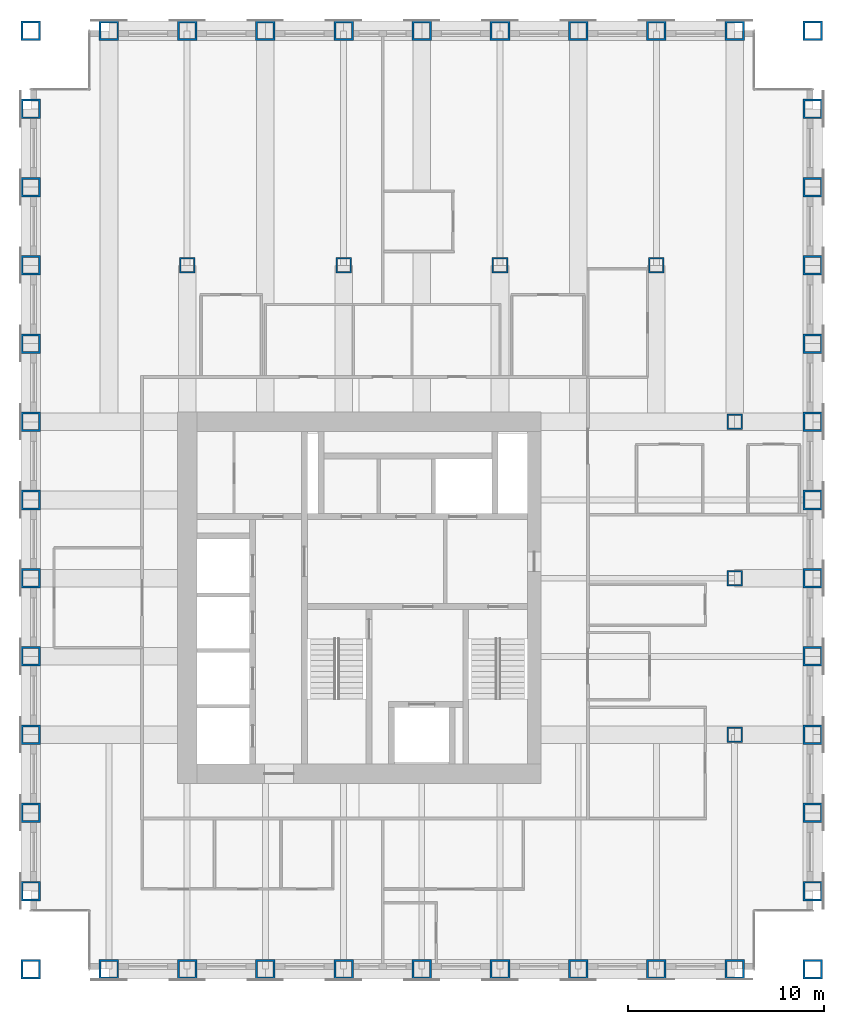
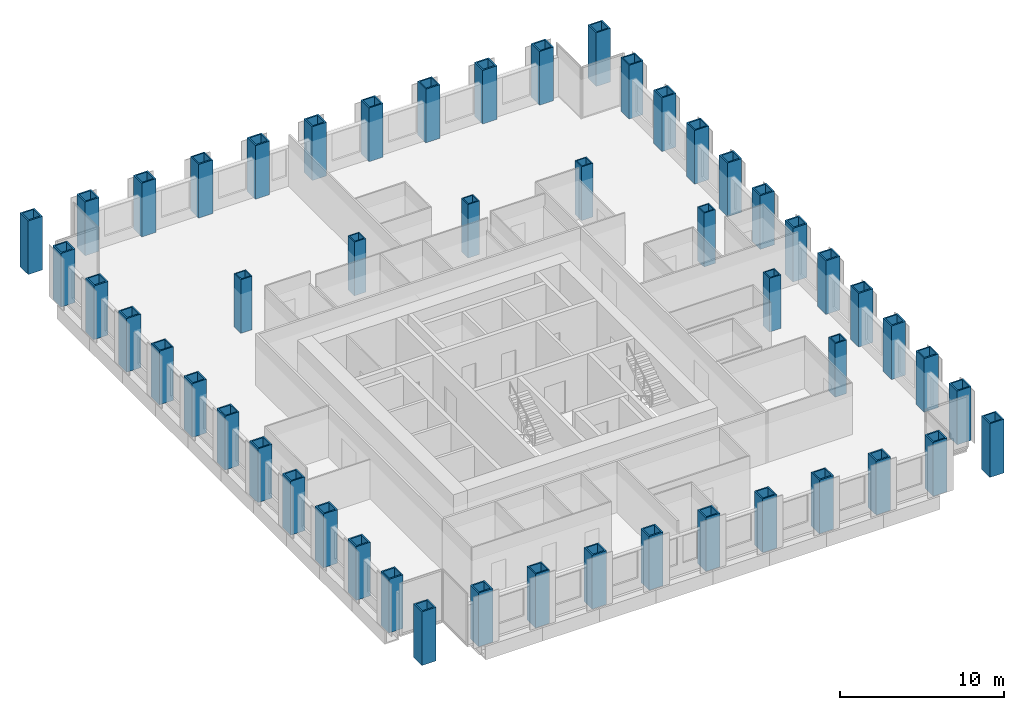
# One storey, part 1 of 14: 51 columns.
"""IFC4 building model written with IfcOpenShell, lengths in metres."""

from ifc_helpers import new_model, si_unit, direction, frame, origin, origin_2d, place, context, subcontext, project, spatial, hollow_rectangle, extrude, material, material_profile, profile_set, type_object, element, save


model = new_model("IFC4")

# Units and contexts
model_context = context("Model", 3, precision=1e-05, world=origin(), true_north=direction((0.0, 1.0)))
body_context = subcontext(model_context, "Body", "Model", "MODEL_VIEW")
ifc_project = project(units=[si_unit("LENGTHUNIT", "METRE"), si_unit("AREAUNIT", "SQUARE_METRE"), si_unit("VOLUMEUNIT", "CUBIC_METRE"), si_unit("PLANEANGLEUNIT", "RADIAN"), si_unit("MASSUNIT", "GRAM", prefix="KILO")], contexts=[model_context])

# Site, building, storey
site_placement = place(None, origin())
site = spatial("IfcSite", under=ifc_project, at=site_placement, CompositionType="ELEMENT")
building_placement = place(site_placement, origin())
building = spatial("IfcBuilding", under=site, at=building_placement, Name="Rimbunsela Tower", CompositionType="ELEMENT")
storey_placement = place(building_placement, frame((0.0, 0.0, 226.199951171875)))
storey = spatial("IfcBuildingStorey", under=building, at=storey_placement, Name="L54", CompositionType="ELEMENT", Elevation=226.199951171875)

# Columns
ifc_material_1 = material(Name="Steel BJ 55 (fy 410 MPa)", Category="steel")
ifc_material_profile_1 = material_profile(ifc_material_1, hollow_rectangle(XDim=1.0, YDim=1.0, WallThickness=0.10009765625, at=origin_2d()), Name="BOX 1000x1000x100")
ifc_profile_set_1 = profile_set([ifc_material_profile_1], Name="Steel BJ 55 (fy 410 MPa)")
column_type_1 = type_object("IfcColumnType", Name="Column BOX 1000x1000x100", PredefinedType="COLUMN", material=ifc_profile_set_1)
for number, where, z_axis, x_axis, name in (
    (1, (10.0, 8.0, 0.0), (0.0, 0.0, 1.0), (1.0, 0.0, 0.0), "Column C1 5/D L54"),
    (2, (10.0, 12.0, 0.0), (0.0, 0.0, 1.0), (1.0, 0.0, 0.0), "Column C1 5/E L54"),
    (3, (10.0, 16.0, 0.0), (0.0, 0.0, 1.0), (1.0, 0.0, 0.0), "Column C1 5/F L54"),
    (4, (10.0, 20.0, 0.0), (0.0, 0.0, 1.0), (1.0, 0.0, 0.0), "Column C1 5/G L54"),
    (5, (10.0, 24.0, 0.0), (0.0, 0.0, 1.0), (1.0, 0.0, 0.0), "Column C1 5/H L54"),
    (6, (10.0, 28.0, 0.0), (0.0, 0.0, 1.0), (1.0, 0.0, 0.0), "Column C1 5/J L54"),
    (7, (10.0, 32.0, 0.0), (0.0, 0.0, 1.0), (1.0, 0.0, 0.0), "Column C1 5/K L54"),
    (8, (10.0, 36.0, 0.0), (0.0, 0.0, 1.0), (1.0, 0.0, 0.0), "Column C1 5/L L54"),
    (9, (10.0, 40.0, 0.0), (0.0, 0.0, 1.0), (1.0, 0.0, 0.0), "Column C1 5/M L54"),
    (10, (10.0, 44.0, 0.0), (0.0, 0.0, 1.0), (1.0, 0.0, 0.0), "Column C1 5/N L54"),
    (11, (10.0, 48.0, 0.0), (0.0, 0.0, 1.0), (1.0, 0.0, 0.0), "Column C1 5/P L54"),
    (12, (10.0, 52.0, 0.0), (0.0, 0.0, 1.0), (1.0, 0.0, 0.0), "Column C1 5/Q L54"),
    (13, (10.0, 56.0, 0.0), (0.0, 0.0, 1.0), (1.0, 0.0, 0.0), "Column C1 5/R L54"),
    (14, (14.0, 8.0, 0.0), (0.0, 0.0, 1.0), (1.0, 0.0, 0.0), "Column C1 6/D L54"),
    (15, (14.0, 56.0, 0.0), (0.0, 0.0, 1.0), (1.0, 0.0, 0.0), "Column C1 6/R L54"),
    (16, (18.0, 8.0, 0.0), (0.0, 0.0, 1.0), (1.0, 0.0, 0.0), "Column C1 7/D L54"),
    (17, (18.0, 56.0, 0.0), (0.0, 0.0, 1.0), (1.0, 0.0, 0.0), "Column C1 7/R L54"),
    (18, (22.0, 8.0, 0.0), (0.0, 0.0, 1.0), (1.0, 0.0, 0.0), "Column C1 8/D L54"),
    (19, (22.0, 56.0, 0.0), (0.0, 0.0, 1.0), (1.0, 0.0, 0.0), "Column C1 8/R L54"),
    (20, (26.0, 8.0, 0.0), (0.0, 0.0, 1.0), (1.0, 0.0, 0.0), "Column C1 9/D L54"),
    (21, (26.0, 56.0, 0.0), (0.0, 0.0, 1.0), (1.0, 0.0, 0.0), "Column C1 9/R L54"),
    (22, (30.0, 8.0, 0.0), (0.0, 0.0, 1.0), (1.0, 0.0, 0.0), "Column C1 10/D L54"),
    (23, (30.0, 56.0, 0.0), (0.0, 0.0, 1.0), (1.0, 0.0, 0.0), "Column C1 10/R L54"),
    (24, (34.0, 8.0, 0.0), (0.0, 0.0, 1.0), (1.0, 0.0, 0.0), "Column C1 11/D L54"),
    (25, (34.0, 56.0, 0.0), (0.0, 0.0, 1.0), (1.0, 0.0, 0.0), "Column C1 11/R L54"),
    (26, (38.0, 8.0, 0.0), (0.0, 0.0, 1.0), (1.0, 0.0, 0.0), "Column C1 12/D L54"),
    (27, (38.0, 56.0, 0.0), (0.0, 0.0, 1.0), (1.0, 0.0, 0.0), "Column C1 12/R L54"),
    (28, (42.0, 8.0, 0.0), (0.0, 0.0, 1.0), (1.0, 0.0, 0.0), "Column C1 13/D L54"),
    (29, (42.0, 56.0, 0.0), (0.0, 0.0, 1.0), (1.0, 0.0, 0.0), "Column C1 13/R L54"),
    (30, (46.0, 8.0, 0.0), (0.0, 0.0, 1.0), (1.0, 0.0, 0.0), "Column C1 14/D L54"),
    (31, (46.0, 56.0, 0.0), (0.0, 0.0, 1.0), (1.0, 0.0, 0.0), "Column C1 14/R L54"),
    (32, (50.0, 8.0, 0.0), (0.0, 0.0, 1.0), (1.0, 0.0, 0.0), "Column C1 15/D L54"),
    (33, (50.0, 12.0, 0.0), (0.0, 0.0, 1.0), (1.0, 0.0, 0.0), "Column C1 15/E L54"),
    (34, (50.0, 16.0, 0.0), (0.0, 0.0, 1.0), (1.0, 0.0, 0.0), "Column C1 15/F L54"),
    (35, (50.0, 20.0, 0.0), (0.0, 0.0, 1.0), (1.0, 0.0, 0.0), "Column C1 15/G L54"),
    (36, (50.0, 24.0, 0.0), (0.0, 0.0, 1.0), (1.0, 0.0, 0.0), "Column C1 15/H L54"),
    (37, (50.0, 28.0, 0.0), (0.0, 0.0, 1.0), (1.0, 0.0, 0.0), "Column C1 15/J L54"),
    (38, (50.0, 32.0, 0.0), (0.0, 0.0, 1.0), (1.0, 0.0, 0.0), "Column C1 15/K L54"),
    (39, (50.0, 36.0, 0.0), (0.0, 0.0, 1.0), (1.0, 0.0, 0.0), "Column C1 15/L L54"),
    (40, (50.0, 40.0, 0.0), (0.0, 0.0, 1.0), (1.0, 0.0, 0.0), "Column C1 15/M L54"),
    (41, (50.0, 44.0, 0.0), (0.0, 0.0, 1.0), (1.0, 0.0, 0.0), "Column C1 15/N L54"),
    (42, (50.0, 48.0, 0.0), (0.0, 0.0, 1.0), (1.0, 0.0, 0.0), "Column C1 15/P L54"),
    (43, (50.0, 52.0, 0.0), (0.0, 0.0, 1.0), (1.0, 0.0, 0.0), "Column C1 15/Q L54"),
    (44, (50.0, 56.0, 0.0), (0.0, 0.0, 1.0), (1.0, 0.0, 0.0), "Column C1 15/R L54"),
):
    element("IfcColumn", number, at=place(storey_placement, frame(where, z_axis=z_axis, x_axis=x_axis)), inside=storey, type_object=column_type_1, Name=name, PredefinedType="COLUMN", context=body_context, shape_type="SweptSolid", body=[
        extrude(hollow_rectangle(XDim=1.0, YDim=1.0, WallThickness=0.10009765625, at=origin_2d()), origin(), (0.0, 0.0, 1.0), 4.0),
    ])
ifc_material_2 = material(Name="Steel BJ 55 (fy 410 MPa)", Category="steel")
ifc_material_profile_2 = material_profile(ifc_material_2, hollow_rectangle(XDim=0.800048828125, YDim=0.800048828125, WallThickness=0.080078125, at=origin_2d()), Name="BOX 800x800x80")
ifc_profile_set_2 = profile_set([ifc_material_profile_2], Name="Steel BJ 55 (fy 410 MPa)")
column_type_2 = type_object("IfcColumnType", Name="Column BOX 800x800x80", PredefinedType="COLUMN", material=ifc_profile_set_2)
for number, where, z_axis, x_axis, name in (
    (45, (18.0, 44.0, 0.0), (0.0, 0.0, 1.0), (1.0, 0.0, 0.0), "Column C2 7/N L54"),
    (46, (26.0, 44.0, 0.0), (0.0, 0.0, 1.0), (1.0, 0.0, 0.0), "Column C2 9/N L54"),
    (47, (34.0, 44.0, 0.0), (0.0, 0.0, 1.0), (1.0, 0.0, 0.0), "Column C2 11/N L54"),
    (48, (42.0, 44.0, 0.0), (0.0, 0.0, 1.0), (1.0, 0.0, 0.0), "Column C2 13/N L54"),
    (49, (46.0, 20.0, 0.0), (0.0, 0.0, 1.0), (1.0, 0.0, 0.0), "Column C2 14/G L54"),
    (50, (46.0, 28.0, 0.0), (0.0, 0.0, 1.0), (1.0, 0.0, 0.0), "Column C2 14/J L54"),
    (51, (46.0, 36.0, 0.0), (0.0, 0.0, 1.0), (1.0, 0.0, 0.0), "Column C2 14/L L54"),
):
    element("IfcColumn", number, at=place(storey_placement, frame(where, z_axis=z_axis, x_axis=x_axis)), inside=storey, type_object=column_type_2, Name=name, PredefinedType="COLUMN", context=body_context, shape_type="SweptSolid", body=[
        extrude(hollow_rectangle(XDim=0.800048828125, YDim=0.800048828125, WallThickness=0.080078125, at=origin_2d()), origin(), (0.0, 0.0, 1.0), 4.0),
    ])

save(model, "model.ifc")
